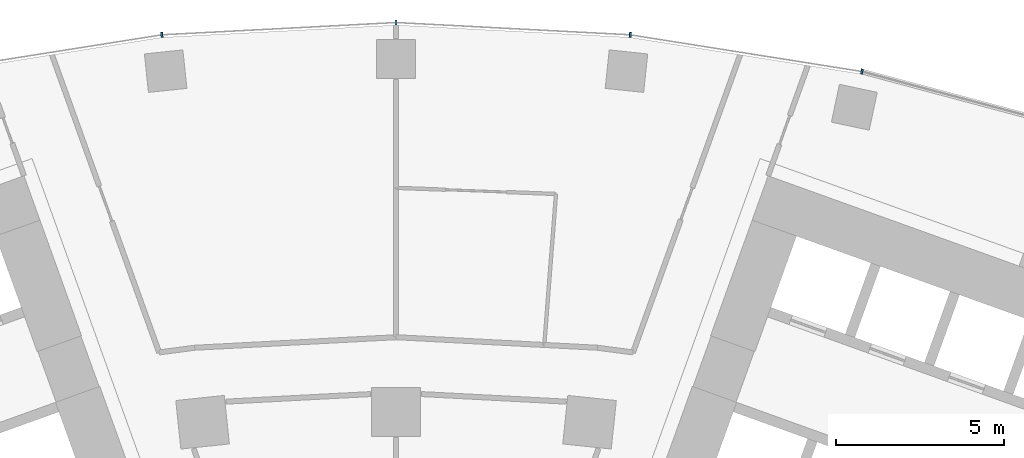
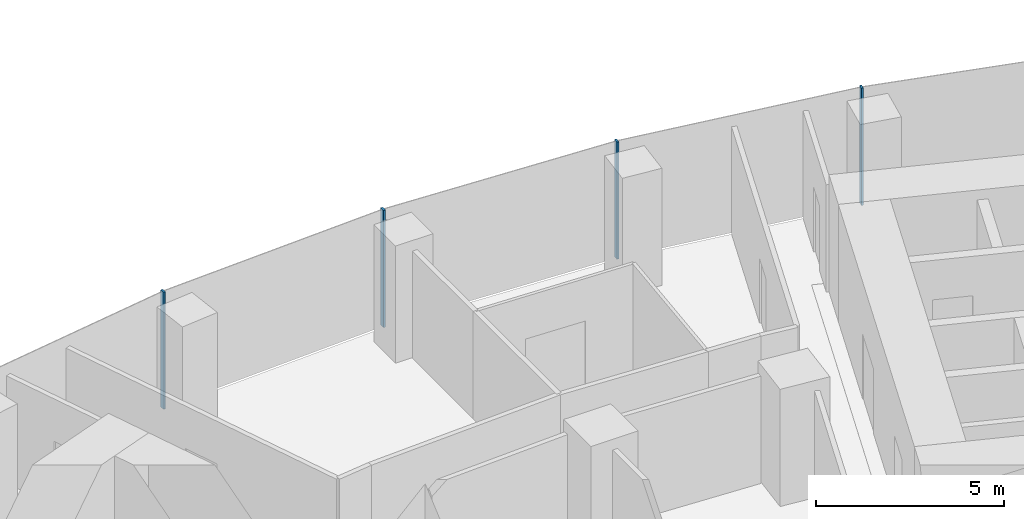
# One storey, part 6 of 20: 4 members, 1 element without a shape of its own.
"""IFC4 building model written with IfcOpenShell, lengths in metres."""

import ifcopenshell
import ifcopenshell.guid

model = None  # the IFC model being written
_history = None  # IfcOwnerHistory: only IFC2X3 demands one
_inside = {}  # id of a spatial element -> (the spatial element, [elements in it])
_under = {}  # id of a project, library or spatial element -> (it, [spatial elements below it])
_declared = {}  # id of a project -> (the project, [libraries it declares])
_typed = {}  # id of a type object -> (the type object, [elements of that type])
_made_of = {}  # id of a material, layer set ... -> (it, [elements and type objects made of it])


def new_model(schema):
    """Start an empty IFC model of exactly this schema.

    Asked for "IFC4X3", IfcOpenShell would pick the latest addendum, in which some entities
    have other attributes; the version numbers below select the first issue.
    IFC2X3 requires an IfcOwnerHistory on every rooted entity: one is made here for all.
    """
    global model, _history
    if schema == "IFC4X3":
        model = ifcopenshell.file(schema_version=(4, 3, 0, 0))
    else:
        model = ifcopenshell.file(schema=schema)
    _inside.clear()
    _under.clear()
    _declared.clear()
    _typed.clear()
    _made_of.clear()
    _history = None
    if model.schema == "IFC2X3":
        org = make("IfcOrganization", Name="unknown")
        user = make(
            "IfcPersonAndOrganization",
            ThePerson=make("IfcPerson", FamilyName="unknown"),
            TheOrganization=org,
        )
        app = make(
            "IfcApplication",
            ApplicationDeveloper=org,
            Version="unknown",
            ApplicationFullName="unknown",
            ApplicationIdentifier="unknown",
        )
        _history = make(
            "IfcOwnerHistory",
            OwningUser=user,
            OwningApplication=app,
            ChangeAction="ADDED",
            CreationDate=0,
        )
    return model


def make(cls, **values):
    """One entity of the class cls with the attributes given. An attribute that is None is left unset."""
    return model.create_entity(
        cls, **{name: value for name, value in values.items() if value is not None}
    )


def rooted(cls, **values):
    """An entity with a GlobalId (a new one), such as an element, a storey or a relation."""
    return make(cls, GlobalId=ifcopenshell.guid.new(), OwnerHistory=_history, **values)


def si_unit(unit_type, name, prefix=None):
    """IfcSIUnit, for example si_unit("LENGTHUNIT", "METRE", prefix="MILLI")."""
    return make("IfcSIUnit", UnitType=unit_type, Prefix=prefix, Name=name)


def assignment(units):
    """IfcUnitAssignment: the units of a project."""
    return None if units is None else make("IfcUnitAssignment", Units=units)


def point(xyz):
    """IfcCartesianPoint."""
    return None if xyz is None else make("IfcCartesianPoint", Coordinates=xyz)


def direction(xyz):
    """IfcDirection."""
    return None if xyz is None else make("IfcDirection", DirectionRatios=xyz)


def frame(location, z_axis=None, x_axis=None):
    """IfcAxis2Placement3D, a coordinate frame: its origin and axes. An axis left out is left unset."""
    return make(
        "IfcAxis2Placement3D",
        Location=point(location),
        Axis=direction(z_axis),
        RefDirection=direction(x_axis),
    )


def frame_2d(location, x_axis=None):
    """IfcAxis2Placement2D, a coordinate frame in the plane: its origin and x axis."""
    return make(
        "IfcAxis2Placement2D", Location=point(location), RefDirection=direction(x_axis)
    )


def origin():
    """The frame at (0, 0, 0) with its axes left unset."""
    return frame((0.0, 0.0, 0.0))


def origin_2d():
    """The frame at (0, 0) in the plane with its x axis left unset."""
    return frame_2d((0.0, 0.0))


def place(relative_to, where):
    """IfcLocalPlacement: puts the frame where relative to a parent placement (None: the world)."""
    return make(
        "IfcLocalPlacement", PlacementRelTo=relative_to, RelativePlacement=where
    )


def context(
    kind, dimensions, precision=None, world=None, true_north=None, identifier=None
):
    """IfcGeometricRepresentationContext, for example the 3D "Model" context."""
    return make(
        "IfcGeometricRepresentationContext",
        ContextIdentifier=identifier,
        ContextType=kind,
        CoordinateSpaceDimension=dimensions,
        Precision=precision,
        WorldCoordinateSystem=world,
        TrueNorth=true_north,
    )


def subcontext(parent, identifier, kind, view, scale=None):
    """IfcGeometricRepresentationSubContext, for example "Body" below "Model"."""
    return make(
        "IfcGeometricRepresentationSubContext",
        ContextIdentifier=identifier,
        ContextType=kind,
        ParentContext=parent,
        TargetScale=scale,
        TargetView=view,
    )


def project(units=None, contexts=None):
    """IfcProject with its units and contexts."""
    return rooted(
        "IfcProject",
        Name="project",
        RepresentationContexts=contexts,
        UnitsInContext=assignment(units),
    )


def spatial(cls, under=None, at=None, **own):
    """A site, building, storey or space (cls), placed at a placement, below another one or the project."""
    s = rooted(cls, ObjectPlacement=at, **own)
    if under is not None:
        _under.setdefault(under.id(), (under, []))[1].append(s)
    return s


def profile(cls, at=None, kind="AREA", **sizes):
    """A parametric profile (cls). Its sizes go by their IFC names, for example OverallWidth=200.0."""
    return make(cls, ProfileType=kind, Position=at, **sizes)


def rectangle(**sizes):
    """IfcRectangleProfileDef."""
    return profile("IfcRectangleProfileDef", **sizes)


def extrude(swept, where, along, depth):
    """IfcExtrudedAreaSolid: the profile swept, set in the frame where, extruded along a direction by depth."""
    return make(
        "IfcExtrudedAreaSolid",
        SweptArea=swept,
        Position=where,
        ExtrudedDirection=direction(along),
        Depth=depth,
    )


def shape(context_of_items, identifier, shape_type, items):
    """IfcShapeRepresentation: the items that make up one representation, for example the "Body"."""
    return make(
        "IfcShapeRepresentation",
        ContextOfItems=context_of_items,
        RepresentationIdentifier=identifier,
        RepresentationType=shape_type,
        Items=items,
    )


def material(Name=None, Category=None):
    """IfcMaterial."""
    return make("IfcMaterial", Name=Name, Category=Category)


def layer(
    of_material, thickness, ventilated=None, Name=None, Category=None, Priority=None
):
    """IfcMaterialLayer: one layer of a wall or slab, of a material (None: an air gap)."""
    return make(
        "IfcMaterialLayer",
        Material=of_material,
        LayerThickness=thickness,
        IsVentilated=ventilated,
        Name=Name,
        Category=Category,
        Priority=Priority,
    )


def layer_set(layers, Name=None):
    """IfcMaterialLayerSet."""
    return make("IfcMaterialLayerSet", MaterialLayers=layers, LayerSetName=Name)


def material_profile(
    of_material, cross_section, Name=None, Category=None, Priority=None
):
    """IfcMaterialProfile: a cross section and its material."""
    return make(
        "IfcMaterialProfile",
        Name=Name,
        Material=of_material,
        Profile=cross_section,
        Priority=Priority,
        Category=Category,
    )


def profile_set(profiles, Name=None, composite=None):
    """IfcMaterialProfileSet."""
    return make(
        "IfcMaterialProfileSet",
        Name=Name,
        MaterialProfiles=profiles,
        CompositeProfile=composite,
    )


def made_of(thing, what):
    """Note that an element or type object is made of a material, layer set ...; save() writes the relation."""
    if what is not None:
        _made_of.setdefault(what.id(), (what, []))[1].append(thing)
    return thing


def type_object(cls, material=None, **own):
    """A type object (cls), such as IfcWallType, which elements share."""
    return made_of(rooted(cls, **own), material)


def element(
    cls,
    number,
    at=None,
    inside=None,
    cuts=None,
    type_object=None,
    material=None,
    context=None,
    identifier="Body",
    shape_type=None,
    held_by="IfcProductDefinitionShape",
    body=None,
    shapes=None,
    **own,
):
    """One element of the class cls, such as IfcWall. Its Tag is "e" and its number.

    at: its placement. inside: the storey or other place that contains it. cuts: it is an
    opening in that element (IfcRelVoidsElement). A single representation is given by context,
    identifier, shape_type and body (its items); several are given by shapes. held_by: the class
    of the entity that holds the representations. save() writes the other relations.
    """
    e = rooted(cls, Tag="e%d" % number, ObjectPlacement=at, **own)
    if body is not None:
        shapes = [shape(context, identifier, shape_type, body)]
    if shapes is not None:
        e.Representation = make(held_by, Representations=shapes)
    if inside is not None:
        _inside.setdefault(inside.id(), (inside, []))[1].append(e)
    if cuts is not None:
        rooted(
            "IfcRelVoidsElement", RelatingBuildingElement=cuts, RelatedOpeningElement=e
        )
    if type_object is not None:
        _typed.setdefault(type_object.id(), (type_object, []))[1].append(e)
    return made_of(e, material)


def aggregate(whole, parts):
    """IfcRelAggregates: a whole, such as a stair, and the parts it consists of."""
    return rooted("IfcRelAggregates", RelatingObject=whole, RelatedObjects=parts)


def save(model, path):
    """Write the relations noted so far, then the file.

    IfcRelAggregates (storeys below a building ...), IfcRelContainedInSpatialStructure (elements
    in a storey), IfcRelDefinesByType, IfcRelAssociatesMaterial and IfcRelDeclares: one each for
    every whole, place, type object, material and project.
    """
    for whole, parts in _under.values():
        aggregate(whole, parts)
    for where, things in _inside.values():
        rooted(
            "IfcRelContainedInSpatialStructure",
            RelatedElements=things,
            RelatingStructure=where,
        )
    for kind, things in _typed.values():
        rooted("IfcRelDefinesByType", RelatedObjects=things, RelatingType=kind)
    for what, things in _made_of.values():
        rooted("IfcRelAssociatesMaterial", RelatedObjects=things, RelatingMaterial=what)
    for by, libraries in _declared.values():
        rooted("IfcRelDeclares", RelatingContext=by, RelatedDefinitions=libraries)
    model.write(path)


model = new_model("IFC4")

# Units and contexts
model_context = context("Model", 3, precision=1e-05, world=origin(), true_north=direction((0.0, 1.0)))
body_context = subcontext(model_context, "Body", "Model", "MODEL_VIEW")
ifc_project = project(units=[si_unit("LENGTHUNIT", "METRE"), si_unit("AREAUNIT", "SQUARE_METRE"), si_unit("VOLUMEUNIT", "CUBIC_METRE"), si_unit("PLANEANGLEUNIT", "RADIAN"), si_unit("MASSUNIT", "GRAM", prefix="KILO")], contexts=[model_context])

# Site, building, storey
site_placement = place(None, origin())
site = spatial("IfcSite", under=ifc_project, at=site_placement, CompositionType="ELEMENT")
building_placement = place(site_placement, origin())
building = spatial("IfcBuilding", under=site, at=building_placement, Name="Stone Belt Terrace Tower", CompositionType="ELEMENT")
storey_placement = place(building_placement, frame((0.0, 0.0, 106.0)))
storey = spatial("IfcBuildingStorey", under=building, at=storey_placement, Name="L25", CompositionType="ELEMENT", Elevation=106.0)

# Curtain wall, members
ifc_material = material(Name="Aluminium 6063-T6 anodised frame", Category="aluminium")
ifc_layer = layer(ifc_material, 0.14990234375)
ifc_layer_set = layer_set([ifc_layer], Name="CW-A unitised convex-face curtain wall")
curtain_wall_type = type_object("IfcCurtainWallType", Name="CW-A unitised convex-face curtain wall", PredefinedType="NOTDEFINED", material=ifc_layer_set)
curtain_wall_placement = place(storey_placement, origin())
curtain_wall = element("IfcCurtainWall", 1, at=curtain_wall_placement, inside=storey, type_object=curtain_wall_type, Name="CW-A convex face L25", PredefinedType="NOTDEFINED")
ifc_material_profile = material_profile(ifc_material, rectangle(XDim=0.14990234375, YDim=0.06005859375, at=origin_2d()), Name="Aluminium 6063-T6 60x150")
ifc_profile_set = profile_set([ifc_material_profile], Name="Aluminium 6063-T6 anodised frame")
member_type = type_object("IfcMemberType", Name="CW-A mullion 60 x 150", PredefinedType="MULLION", material=ifc_profile_set)
member_1_placement = place(storey_placement, frame((13.841796875, 65.120361328125, 0.0), z_axis=(0.0, 0.0, 1.0), x_axis=(-0.207911690818, -0.978147600734, 0.0)))
member_1 = element("IfcMember", 2, at=member_1_placement, type_object=member_type, Name="CW-A mullion 8", PredefinedType="MULLION", context=body_context, shape_type="SweptSolid", body=[
    extrude(rectangle(XDim=0.14990234375, YDim=0.06005859375, at=origin_2d()), origin(), (0.0, 0.0, 1.0), 3.800048828125),
])
member_2_placement = place(storey_placement, frame((6.958984375, 66.21044921875, 0.0), z_axis=(0.0, 0.0, 1.0), x_axis=(-0.104528463268, -0.994521895368, 0.0)))
member_2 = element("IfcMember", 3, at=member_2_placement, type_object=member_type, Name="CW-A mullion 9", PredefinedType="MULLION", context=body_context, shape_type="SweptSolid", body=[
    extrude(rectangle(XDim=0.14990234375, YDim=0.06005859375, at=origin_2d()), origin(), (0.0, 0.0, 1.0), 3.800048828125),
])
member_3_placement = place(storey_placement, frame((0.0, 66.5751953125, 0.0), z_axis=(0.0, 0.0, 1.0), x_axis=(0.0, -1.0, 0.0)))
member_3 = element("IfcMember", 4, at=member_3_placement, type_object=member_type, Name="CW-A mullion 10", PredefinedType="MULLION", context=body_context, shape_type="SweptSolid", body=[
    extrude(rectangle(XDim=0.14990234375, YDim=0.06005859375, at=origin_2d()), origin(), (0.0, 0.0, 1.0), 3.800048828125),
])
member_4_placement = place(storey_placement, frame((-6.958984375, 66.21044921875, 0.0), z_axis=(0.0, 0.0, 1.0), x_axis=(0.104528463268, -0.994521895368, 0.0)))
member_4 = element("IfcMember", 5, at=member_4_placement, type_object=member_type, Name="CW-A mullion 11", PredefinedType="MULLION", context=body_context, shape_type="SweptSolid", body=[
    extrude(rectangle(XDim=0.14990234375, YDim=0.06005859375, at=origin_2d()), origin(), (0.0, 0.0, 1.0), 3.800048828125),
])
aggregate(curtain_wall, [member_1, member_2, member_3, member_4])

save(model, "model.ifc")
